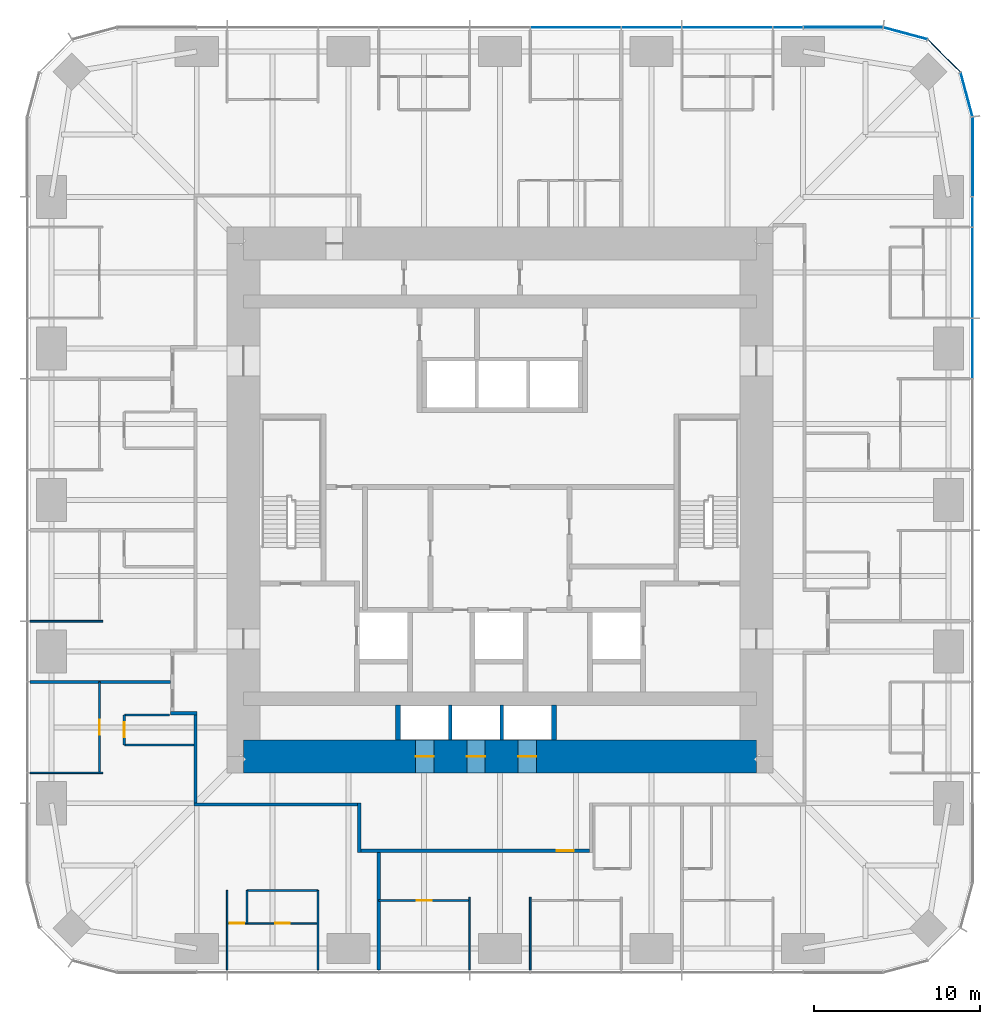
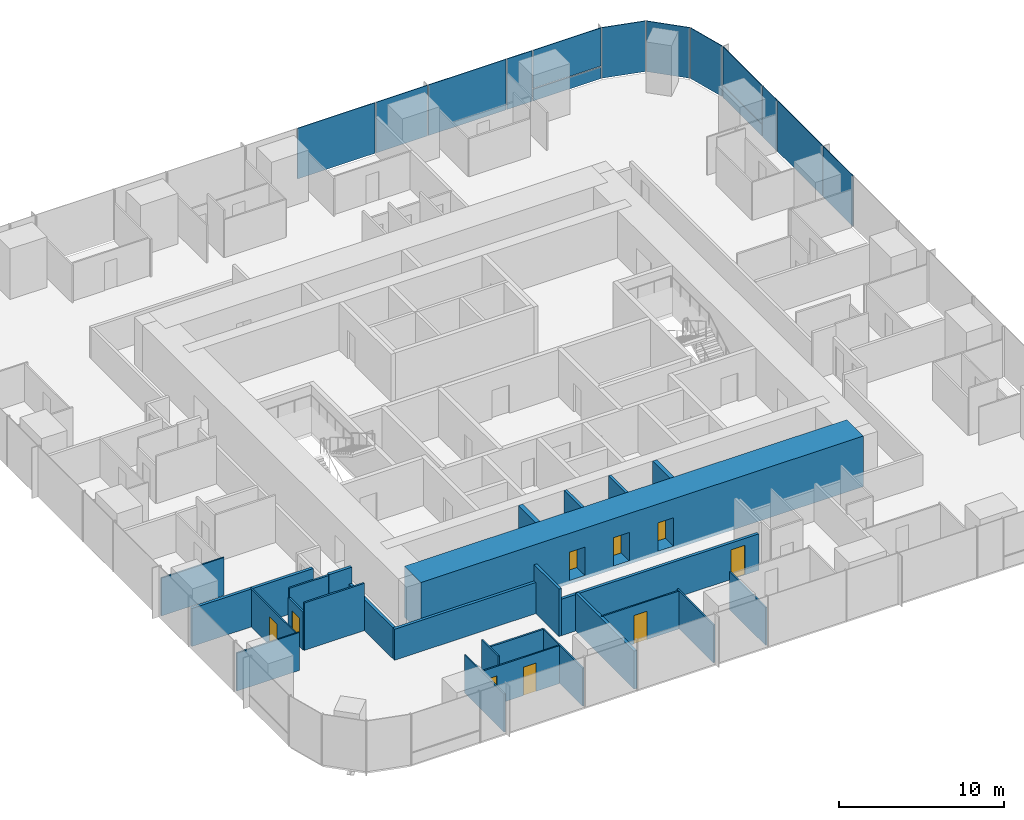
# One storey, part 8 of 13: 26 walls, 14 plates, 9 doors, 9 openings, 3 elements without a shape of their own.
"""IFC4 building model written with IfcOpenShell, lengths in metres."""

import ifcopenshell
import ifcopenshell.guid

model = None  # the IFC model being written
_history = None  # IfcOwnerHistory: only IFC2X3 demands one
_inside = {}  # id of a spatial element -> (the spatial element, [elements in it])
_under = {}  # id of a project, library or spatial element -> (it, [spatial elements below it])
_declared = {}  # id of a project -> (the project, [libraries it declares])
_typed = {}  # id of a type object -> (the type object, [elements of that type])
_made_of = {}  # id of a material, layer set ... -> (it, [elements and type objects made of it])


def new_model(schema):
    """Start an empty IFC model of exactly this schema.

    Asked for "IFC4X3", IfcOpenShell would pick the latest addendum, in which some entities
    have other attributes; the version numbers below select the first issue.
    IFC2X3 requires an IfcOwnerHistory on every rooted entity: one is made here for all.
    """
    global model, _history
    if schema == "IFC4X3":
        model = ifcopenshell.file(schema_version=(4, 3, 0, 0))
    else:
        model = ifcopenshell.file(schema=schema)
    _inside.clear()
    _under.clear()
    _declared.clear()
    _typed.clear()
    _made_of.clear()
    _history = None
    if model.schema == "IFC2X3":
        org = make("IfcOrganization", Name="unknown")
        user = make(
            "IfcPersonAndOrganization",
            ThePerson=make("IfcPerson", FamilyName="unknown"),
            TheOrganization=org,
        )
        app = make(
            "IfcApplication",
            ApplicationDeveloper=org,
            Version="unknown",
            ApplicationFullName="unknown",
            ApplicationIdentifier="unknown",
        )
        _history = make(
            "IfcOwnerHistory",
            OwningUser=user,
            OwningApplication=app,
            ChangeAction="ADDED",
            CreationDate=0,
        )
    return model


def make(cls, **values):
    """One entity of the class cls with the attributes given. An attribute that is None is left unset."""
    return model.create_entity(
        cls, **{name: value for name, value in values.items() if value is not None}
    )


def rooted(cls, **values):
    """An entity with a GlobalId (a new one), such as an element, a storey or a relation."""
    return make(cls, GlobalId=ifcopenshell.guid.new(), OwnerHistory=_history, **values)


def si_unit(unit_type, name, prefix=None):
    """IfcSIUnit, for example si_unit("LENGTHUNIT", "METRE", prefix="MILLI")."""
    return make("IfcSIUnit", UnitType=unit_type, Prefix=prefix, Name=name)


def assignment(units):
    """IfcUnitAssignment: the units of a project."""
    return None if units is None else make("IfcUnitAssignment", Units=units)


def point(xyz):
    """IfcCartesianPoint."""
    return None if xyz is None else make("IfcCartesianPoint", Coordinates=xyz)


def direction(xyz):
    """IfcDirection."""
    return None if xyz is None else make("IfcDirection", DirectionRatios=xyz)


def frame(location, z_axis=None, x_axis=None):
    """IfcAxis2Placement3D, a coordinate frame: its origin and axes. An axis left out is left unset."""
    return make(
        "IfcAxis2Placement3D",
        Location=point(location),
        Axis=direction(z_axis),
        RefDirection=direction(x_axis),
    )


def frame_2d(location, x_axis=None):
    """IfcAxis2Placement2D, a coordinate frame in the plane: its origin and x axis."""
    return make(
        "IfcAxis2Placement2D", Location=point(location), RefDirection=direction(x_axis)
    )


def origin():
    """The frame at (0, 0, 0) with its axes left unset."""
    return frame((0.0, 0.0, 0.0))


def origin_2d():
    """The frame at (0, 0) in the plane with its x axis left unset."""
    return frame_2d((0.0, 0.0))


def place(relative_to, where):
    """IfcLocalPlacement: puts the frame where relative to a parent placement (None: the world)."""
    return make(
        "IfcLocalPlacement", PlacementRelTo=relative_to, RelativePlacement=where
    )


def context(
    kind, dimensions, precision=None, world=None, true_north=None, identifier=None
):
    """IfcGeometricRepresentationContext, for example the 3D "Model" context."""
    return make(
        "IfcGeometricRepresentationContext",
        ContextIdentifier=identifier,
        ContextType=kind,
        CoordinateSpaceDimension=dimensions,
        Precision=precision,
        WorldCoordinateSystem=world,
        TrueNorth=true_north,
    )


def subcontext(parent, identifier, kind, view, scale=None):
    """IfcGeometricRepresentationSubContext, for example "Body" below "Model"."""
    return make(
        "IfcGeometricRepresentationSubContext",
        ContextIdentifier=identifier,
        ContextType=kind,
        ParentContext=parent,
        TargetScale=scale,
        TargetView=view,
    )


def project(units=None, contexts=None):
    """IfcProject with its units and contexts."""
    return rooted(
        "IfcProject",
        Name="project",
        RepresentationContexts=contexts,
        UnitsInContext=assignment(units),
    )


def spatial(cls, under=None, at=None, **own):
    """A site, building, storey or space (cls), placed at a placement, below another one or the project."""
    s = rooted(cls, ObjectPlacement=at, **own)
    if under is not None:
        _under.setdefault(under.id(), (under, []))[1].append(s)
    return s


def profile(cls, at=None, kind="AREA", **sizes):
    """A parametric profile (cls). Its sizes go by their IFC names, for example OverallWidth=200.0."""
    return make(cls, ProfileType=kind, Position=at, **sizes)


def rectangle(**sizes):
    """IfcRectangleProfileDef."""
    return profile("IfcRectangleProfileDef", **sizes)


def extrude(swept, where, along, depth):
    """IfcExtrudedAreaSolid: the profile swept, set in the frame where, extruded along a direction by depth."""
    return make(
        "IfcExtrudedAreaSolid",
        SweptArea=swept,
        Position=where,
        ExtrudedDirection=direction(along),
        Depth=depth,
    )


def shape(context_of_items, identifier, shape_type, items):
    """IfcShapeRepresentation: the items that make up one representation, for example the "Body"."""
    return make(
        "IfcShapeRepresentation",
        ContextOfItems=context_of_items,
        RepresentationIdentifier=identifier,
        RepresentationType=shape_type,
        Items=items,
    )


def material(Name=None, Category=None):
    """IfcMaterial."""
    return make("IfcMaterial", Name=Name, Category=Category)


def layer(
    of_material, thickness, ventilated=None, Name=None, Category=None, Priority=None
):
    """IfcMaterialLayer: one layer of a wall or slab, of a material (None: an air gap)."""
    return make(
        "IfcMaterialLayer",
        Material=of_material,
        LayerThickness=thickness,
        IsVentilated=ventilated,
        Name=Name,
        Category=Category,
        Priority=Priority,
    )


def layer_set(layers, Name=None):
    """IfcMaterialLayerSet."""
    return make("IfcMaterialLayerSet", MaterialLayers=layers, LayerSetName=Name)


def made_of(thing, what):
    """Note that an element or type object is made of a material, layer set ...; save() writes the relation."""
    if what is not None:
        _made_of.setdefault(what.id(), (what, []))[1].append(thing)
    return thing


def type_object(cls, material=None, **own):
    """A type object (cls), such as IfcWallType, which elements share."""
    return made_of(rooted(cls, **own), material)


def element(
    cls,
    number,
    at=None,
    inside=None,
    cuts=None,
    type_object=None,
    material=None,
    context=None,
    identifier="Body",
    shape_type=None,
    held_by="IfcProductDefinitionShape",
    body=None,
    shapes=None,
    **own,
):
    """One element of the class cls, such as IfcWall. Its Tag is "e" and its number.

    at: its placement. inside: the storey or other place that contains it. cuts: it is an
    opening in that element (IfcRelVoidsElement). A single representation is given by context,
    identifier, shape_type and body (its items); several are given by shapes. held_by: the class
    of the entity that holds the representations. save() writes the other relations.
    """
    e = rooted(cls, Tag="e%d" % number, ObjectPlacement=at, **own)
    if body is not None:
        shapes = [shape(context, identifier, shape_type, body)]
    if shapes is not None:
        e.Representation = make(held_by, Representations=shapes)
    if inside is not None:
        _inside.setdefault(inside.id(), (inside, []))[1].append(e)
    if cuts is not None:
        rooted(
            "IfcRelVoidsElement", RelatingBuildingElement=cuts, RelatedOpeningElement=e
        )
    if type_object is not None:
        _typed.setdefault(type_object.id(), (type_object, []))[1].append(e)
    return made_of(e, material)


def fill(opening, filler):
    """IfcRelFillsElement: the door or window that sits in an opening."""
    return rooted(
        "IfcRelFillsElement",
        RelatingOpeningElement=opening,
        RelatedBuildingElement=filler,
    )


def aggregate(whole, parts):
    """IfcRelAggregates: a whole, such as a stair, and the parts it consists of."""
    return rooted("IfcRelAggregates", RelatingObject=whole, RelatedObjects=parts)


def save(model, path):
    """Write the relations noted so far, then the file.

    IfcRelAggregates (storeys below a building ...), IfcRelContainedInSpatialStructure (elements
    in a storey), IfcRelDefinesByType, IfcRelAssociatesMaterial and IfcRelDeclares: one each for
    every whole, place, type object, material and project.
    """
    for whole, parts in _under.values():
        aggregate(whole, parts)
    for where, things in _inside.values():
        rooted(
            "IfcRelContainedInSpatialStructure",
            RelatedElements=things,
            RelatingStructure=where,
        )
    for kind, things in _typed.values():
        rooted("IfcRelDefinesByType", RelatedObjects=things, RelatingType=kind)
    for what, things in _made_of.values():
        rooted("IfcRelAssociatesMaterial", RelatedObjects=things, RelatingMaterial=what)
    for by, libraries in _declared.values():
        rooted("IfcRelDeclares", RelatingContext=by, RelatedDefinitions=libraries)
    model.write(path)


model = new_model("IFC4")

# Units and contexts
model_context = context("Model", 3, precision=1e-05, world=origin(), true_north=direction((0.0, 1.0)))
body_context = subcontext(model_context, "Body", "Model", "MODEL_VIEW")
ifc_project = project(units=[si_unit("LENGTHUNIT", "METRE"), si_unit("AREAUNIT", "SQUARE_METRE"), si_unit("VOLUMEUNIT", "CUBIC_METRE"), si_unit("PLANEANGLEUNIT", "RADIAN"), si_unit("MASSUNIT", "GRAM", prefix="KILO")], contexts=[model_context])

# Site, building, storey
site_placement = place(None, origin())
site = spatial("IfcSite", under=ifc_project, at=site_placement, CompositionType="ELEMENT")
building_placement = place(site_placement, origin())
building = spatial("IfcBuilding", under=site, at=building_placement, Name="Khuree Lantern Residences", CompositionType="ELEMENT")
storey_placement = place(building_placement, frame((0.0, 0.0, 159.75)))
storey = spatial("IfcBuildingStorey", under=building, at=storey_placement, Name="L40", CompositionType="ELEMENT", Elevation=159.75)

# Curtain wall, plates
ifc_material_1 = material(Name="Bronze anodised aluminium", Category="aluminium")
curtain_wall_type_1 = type_object("IfcCurtainWallType", Name="CW-T2 TOWER CORNER CURTAIN WALL", PredefinedType="USERDEFINED", material=ifc_material_1)
curtain_wall_1_placement = place(storey_placement, origin())
curtain_wall_1 = element("IfcCurtainWall", 1, at=curtain_wall_1_placement, inside=storey, type_object=curtain_wall_type_1, Name="L40 NORTH-EAST CORNER CURTAIN WALL", ObjectType="Faceted corner curtain wall", PredefinedType="USERDEFINED")
ifc_material_2 = material(Name="Bronze tinted triple glazing", Category="glass")
ifc_layer_1 = layer(ifc_material_2, 0.048095703125)
ifc_layer_set_1 = layer_set([ifc_layer_1], Name="FACET PANEL P4")
plate_type_1 = type_object("IfcPlateType", Name="FACET PANEL P4", PredefinedType="CURTAIN_PANEL", material=ifc_layer_set_1)
plate_1_placement = place(storey_placement, frame((28.188720703125, 24.498046875, 0.0), z_axis=(0.0, 0.0, 1.0), x_axis=(-0.258819105321, 0.965925810153, 0.0)))
plate_1 = element("IfcPlate", 2, at=plate_1_placement, type_object=plate_type_1, Name="L40 NORTH-EAST CORNER PANEL 15.1", PredefinedType="CURTAIN_PANEL", context=body_context, shape_type="SweptSolid", body=[
    extrude(rectangle(XDim=2.71923828125, YDim=0.048095703125, at=origin_2d()), origin(), (0.0, 0.0, 1.0), 3.75),
])
plate_2_placement = place(storey_placement, frame((26.83837890625, 26.83837890625, 0.0), z_axis=(0.0, 0.0, 1.0), x_axis=(-0.707106781187, 0.707106781187, 0.0)))
plate_2 = element("IfcPlate", 3, at=plate_2_placement, type_object=plate_type_1, Name="L40 NORTH-EAST CORNER PANEL 16.1", PredefinedType="CURTAIN_PANEL", context=body_context, shape_type="SweptSolid", body=[
    extrude(rectangle(XDim=2.715087890625, YDim=0.048095703125, at=origin_2d()), origin(), (0.0, 0.0, 1.0), 3.75),
])
plate_3_placement = place(storey_placement, frame((24.498046875, 28.188720703125, 0.0), z_axis=(0.0, 0.0, 1.0), x_axis=(-0.965925810153, 0.258819105321, 0.0)))
plate_3 = element("IfcPlate", 4, at=plate_3_placement, type_object=plate_type_1, Name="L40 NORTH-EAST CORNER PANEL 17.1", PredefinedType="CURTAIN_PANEL", context=body_context, shape_type="SweptSolid", body=[
    extrude(rectangle(XDim=2.71923828125, YDim=0.048095703125, at=origin_2d()), origin(), (0.0, 0.0, 1.0), 3.75),
])
aggregate(curtain_wall_1, [plate_1, plate_2, plate_3])

# Curtain wall, plate
curtain_wall_type_2 = type_object("IfcCurtainWallType", Name="CW-T1 TOWER FACE CURTAIN WALL", PredefinedType="USERDEFINED", material=ifc_material_1)
curtain_wall_2_placement = place(storey_placement, origin())
curtain_wall_2 = element("IfcCurtainWall", 5, at=curtain_wall_2_placement, inside=storey, type_object=curtain_wall_type_2, Name="L40 EAST FACE CURTAIN WALL", ObjectType="Stick-built curtain wall", PredefinedType="USERDEFINED")
ifc_material_3 = material(Name="Bronze tinted triple glazing with a ceramic-fritted spandrel band", Category="glass")
ifc_layer_2 = layer(ifc_material_3, 0.048095703125)
ifc_layer_set_2 = layer_set([ifc_layer_2], Name="FIXED LIGHT PANEL P11")
plate_type_2 = type_object("IfcPlateType", Name="FIXED LIGHT PANEL P11", PredefinedType="CURTAIN_PANEL", material=ifc_layer_set_2)
plate_4_placement = place(storey_placement, frame((28.550048828125, 13.739990234375, 0.0), z_axis=(0.0, 0.0, 1.0), x_axis=(0.0, 1.0, 0.0)))
plate_4 = element("IfcPlate", 6, at=plate_4_placement, type_object=plate_type_2, Name="L40 EAST FACE PANEL 12.1", PredefinedType="CURTAIN_PANEL", context=body_context, shape_type="SweptSolid", body=[
    extrude(rectangle(XDim=5.430908203125, YDim=0.048095703125, at=origin_2d()), origin(), (0.0, 0.0, 1.0), 3.75),
])

# Curtain wall, plates
curtain_wall_3_placement = place(storey_placement, origin())
curtain_wall_3 = element("IfcCurtainWall", 7, at=curtain_wall_3_placement, inside=storey, type_object=curtain_wall_type_2, Name="L40 NORTH FACE CURTAIN WALL", ObjectType="Stick-built curtain wall", PredefinedType="USERDEFINED")
plate_5_placement = place(storey_placement, frame((13.739990234375, 28.550048828125, 0.0), z_axis=(0.0, 0.0, 1.0), x_axis=(-1.0, 0.0, 0.0)))
plate_5 = element("IfcPlate", 8, at=plate_5_placement, type_object=plate_type_2, Name="L40 NORTH FACE PANEL 20.1", PredefinedType="CURTAIN_PANEL", context=body_context, shape_type="SweptSolid", body=[
    extrude(rectangle(XDim=5.430908203125, YDim=0.048095703125, at=origin_2d()), origin(), (0.0, 0.0, 1.0), 3.75),
])
plate_6_placement = place(storey_placement, frame((4.580078125, 28.550048828125, 0.0), z_axis=(0.0, 0.0, 1.0), x_axis=(-1.0, 0.0, 0.0)))
plate_6 = element("IfcPlate", 9, at=plate_6_placement, type_object=plate_type_2, Name="L40 NORTH FACE PANEL 22.1", PredefinedType="CURTAIN_PANEL", context=body_context, shape_type="SweptSolid", body=[
    extrude(rectangle(XDim=5.430908203125, YDim=0.048095703125, at=origin_2d()), origin(), (0.0, 0.0, 1.0), 3.75),
])

# Plate
ifc_material_4 = material(Name="Bronze tinted triple glazing, two aluminium-framed sashes in one frame", Category="aluminium")
ifc_layer_3 = layer(ifc_material_4, 0.048095703125)
ifc_layer_set_3 = layer_set([ifc_layer_3], Name="SASH PAIR PANEL P12")
plate_type_3 = type_object("IfcPlateType", Name="SASH PAIR PANEL P12", PredefinedType="CURTAIN_PANEL", material=ifc_layer_set_3)
plate_7_placement = place(storey_placement, frame((28.550048828125, 9.159912109375, 0.0), z_axis=(0.0, 0.0, 1.0), x_axis=(0.0, 1.0, 0.0)))
plate_7 = element("IfcPlate", 10, at=plate_7_placement, type_object=plate_type_3, Name="L40 EAST FACE PANEL 11.1", PredefinedType="CURTAIN_PANEL", context=body_context, shape_type="SweptSolid", body=[
    extrude(rectangle(XDim=3.59912109375, YDim=0.048095703125, at=origin_2d()), origin(), (0.0, 0.0, 1.0), 3.75),
])

plate_8_placement = place(storey_placement, frame((9.159912109375, 28.550048828125, 0.0), z_axis=(0.0, 0.0, 1.0), x_axis=(-1.0, 0.0, 0.0)))
plate_8 = element("IfcPlate", 11, at=plate_8_placement, type_object=plate_type_3, Name="L40 NORTH FACE PANEL 21.1", PredefinedType="CURTAIN_PANEL", context=body_context, shape_type="SweptSolid", body=[
    extrude(rectangle(XDim=3.59912109375, YDim=0.048095703125, at=origin_2d()), origin(), (0.0, 0.0, 1.0), 3.75),
])

ifc_material_5 = material(Name="Bronze tinted triple glazing, aluminium-framed sash", Category="aluminium")
ifc_layer_4 = layer(ifc_material_5, 0.048095703125)
ifc_layer_set_4 = layer_set([ifc_layer_4], Name="SASH PANEL P3")
plate_type_4 = type_object("IfcPlateType", Name="SASH PANEL P3", PredefinedType="CURTAIN_PANEL", material=ifc_layer_set_4)
plate_9_placement = place(storey_placement, frame((28.550048828125, 17.404052734375, 0.0), z_axis=(0.0, 0.0, 1.0), x_axis=(0.0, 1.0, 0.0)))
plate_9 = element("IfcPlate", 12, at=plate_9_placement, type_object=plate_type_4, Name="L40 EAST FACE PANEL 13.1", PredefinedType="CURTAIN_PANEL", context=body_context, shape_type="SweptSolid", body=[
    extrude(rectangle(XDim=1.76708984375, YDim=0.048095703125, at=origin_2d()), origin(), (0.0, 0.0, 1.0), 3.75),
])

plate_10_placement = place(storey_placement, frame((17.404052734375, 28.550048828125, 0.0), z_axis=(0.0, 0.0, 1.0), x_axis=(-1.0, 0.0, 0.0)))
plate_10 = element("IfcPlate", 13, at=plate_10_placement, type_object=plate_type_4, Name="L40 NORTH FACE PANEL 19.1", PredefinedType="CURTAIN_PANEL", context=body_context, shape_type="SweptSolid", body=[
    extrude(rectangle(XDim=1.76708984375, YDim=0.048095703125, at=origin_2d()), origin(), (0.0, 0.0, 1.0), 3.75),
])

ifc_material_6 = material(Name="Bronze anodised aluminium insulated spandrel", Category="aluminium")
ifc_layer_5 = layer(ifc_material_6, 0.06005859375)
ifc_layer_set_5 = layer_set([ifc_layer_5], Name="SPANDREL PANEL P2")
plate_type_5 = type_object("IfcPlateType", Name="SPANDREL PANEL P2", PredefinedType="CURTAIN_PANEL", material=ifc_layer_set_5)
plate_11_placement = place(storey_placement, frame((28.550048828125, 20.73291015625, 0.0), z_axis=(0.0, 0.0, 1.0), x_axis=(0.0, 1.0, 0.0)))
plate_11 = element("IfcPlate", 14, at=plate_11_placement, type_object=plate_type_5, Name="L40 EAST FACE PANEL 14.1", PredefinedType="CURTAIN_PANEL", context=body_context, shape_type="SweptSolid", body=[
    extrude(rectangle(XDim=4.7607421875, YDim=0.06005859375, at=origin_2d()), origin(), (0.0, 0.0, 1.0), 0.867431640625),
])

plate_12_placement = place(storey_placement, frame((20.73291015625, 28.550048828125, 0.0), z_axis=(0.0, 0.0, 1.0), x_axis=(-1.0, 0.0, 0.0)))
plate_12 = element("IfcPlate", 15, at=plate_12_placement, type_object=plate_type_5, Name="L40 NORTH FACE PANEL 18.1", PredefinedType="CURTAIN_PANEL", context=body_context, shape_type="SweptSolid", body=[
    extrude(rectangle(XDim=4.7607421875, YDim=0.06005859375, at=origin_2d()), origin(), (0.0, 0.0, 1.0), 0.867431640625),
])

ifc_layer_6 = layer(ifc_material_2, 0.048095703125)
ifc_layer_set_6 = layer_set([ifc_layer_6], Name="VISION PANEL P1")
plate_type_6 = type_object("IfcPlateType", Name="VISION PANEL P1", PredefinedType="CURTAIN_PANEL", material=ifc_layer_set_6)
plate_13_placement = place(storey_placement, frame((28.550048828125, 20.7333984375, 0.9326171875), z_axis=(0.0, 0.0, 1.0), x_axis=(0.0, 1.0, 0.0)))
plate_13 = element("IfcPlate", 16, at=plate_13_placement, type_object=plate_type_6, Name="L40 EAST FACE PANEL 14.2", PredefinedType="CURTAIN_PANEL", context=body_context, shape_type="SweptSolid", body=[
    extrude(rectangle(XDim=4.761474609375, YDim=0.048095703125, at=origin_2d()), origin(), (0.0, 0.0, 1.0), 2.8173828125),
])

aggregate(curtain_wall_2, [plate_7, plate_4, plate_9, plate_11, plate_13])

plate_14_placement = place(storey_placement, frame((20.7333984375, 28.550048828125, 0.9326171875), z_axis=(0.0, 0.0, 1.0), x_axis=(-1.0, 0.0, 0.0)))
plate_14 = element("IfcPlate", 17, at=plate_14_placement, type_object=plate_type_6, Name="L40 NORTH FACE PANEL 18.2", PredefinedType="CURTAIN_PANEL", context=body_context, shape_type="SweptSolid", body=[
    extrude(rectangle(XDim=4.761474609375, YDim=0.048095703125, at=origin_2d()), origin(), (0.0, 0.0, 1.0), 2.8173828125),
])

aggregate(curtain_wall_3, [plate_12, plate_14, plate_10, plate_5, plate_8, plate_6])

# Wall
ifc_material_7 = material(Name="Moisture-resistant gypsum board on steel studs", Category="steel")
ifc_layer_7 = layer(ifc_material_7, 0.125)
ifc_layer_set_7 = layer_set([ifc_layer_7], Name="BATHROOM WALL BTW125")
wall_type_1 = type_object("IfcWallType", Name="BATHROOM WALL BTW125", PredefinedType="PARTITIONING", material=ifc_layer_set_7)
wall_1_placement = place(storey_placement, frame((-15.2880859375, -23.579833984375, 0.0), z_axis=(0.0, 0.0, 1.0), x_axis=(1.0, 0.0, 0.0)))
element("IfcWall", 18, at=wall_1_placement, inside=storey, type_object=wall_type_1, Name="L40 BATHROOM WALL 06", PredefinedType="PARTITIONING", context=body_context, shape_type="SweptSolid", body=[
    extrude(rectangle(XDim=4.296142578125, YDim=0.125, at=frame_2d((2.14794921875, 0.0))), origin(), (0.0, 0.0, 1.0), 2.81005859375),
])

# Wall, opening, door
wall_2_placement = place(storey_placement, frame((-22.699951171875, -12.991943359375, 0.0), z_axis=(0.0, 0.0, 1.0), x_axis=(0.0, -1.0, 0.0)))
wall_2 = element("IfcWall", 19, at=wall_2_placement, inside=storey, type_object=wall_type_1, Name="L40 BATHROOM WALL 06", PredefinedType="PARTITIONING", context=body_context, shape_type="SweptSolid", body=[
    extrude(rectangle(XDim=1.800048828125, YDim=0.125, at=frame_2d((0.89990234375, 0.0))), origin(), (0.0, 0.0, 1.0), 2.81005859375),
])
opening_1_placement = place(wall_2_placement, frame((0.449951171875, 0.0, 0.0)))
opening_1 = element("IfcOpeningElement", 20, at=opening_1_placement, cuts=wall_2, Name="Opening 40-053", PredefinedType="OPENING", context=body_context, shape_type="SweptSolid", body=[
    extrude(rectangle(XDim=0.89990234375, YDim=2.10009765625, at=frame_2d((0.449951171875, 1.050048828125))), frame((0.0, 0.072509765625, 0.0), z_axis=(0.0, -1.0, 0.0), x_axis=(1.0, 0.0, 0.0)), (0.0, 0.0, 1.0), 0.14501953125),
])
ifc_material_8 = material(Name="Timber door leaf in hardwood frame", Category="wood")
door_type_1 = type_object("IfcDoorType", Name="BATHROOM DOOR 900X2100", OperationType="SINGLE_SWING_LEFT", PredefinedType="DOOR", material=ifc_material_8)
door_1_placement = place(opening_1_placement, origin())
door_1 = element("IfcDoor", 21, at=door_1_placement, inside=storey, type_object=door_type_1, Name="Bathroom door 40-053", OperationType="SINGLE_SWING_LEFT", OverallHeight=2.10009765625, OverallWidth=0.89990234375, PredefinedType="DOOR", context=body_context, shape_type="SweptSolid", body=[
    extrude(rectangle(XDim=0.89990234375, YDim=2.10009765625, at=frame_2d((0.449951171875, 1.050048828125))), frame((0.0, 0.02490234375, 0.0), z_axis=(0.0, -1.0, 0.0), x_axis=(1.0, 0.0, 0.0)), (0.0, 0.0, 1.0), 0.050048828125),
])
fill(opening_1, door_1)

# Walls
wall_3_placement = place(storey_placement, frame((-19.969970703125, -12.991943359375, 0.0), z_axis=(0.0, 0.0, 1.0), x_axis=(-1.0, 0.0, 0.0)))
element("IfcWall", 22, at=wall_3_placement, inside=storey, type_object=wall_type_1, Name="L40 BATHROOM WALL 06", PredefinedType="PARTITIONING", context=body_context, shape_type="SweptSolid", body=[
    extrude(rectangle(XDim=2.72998046875, YDim=0.125, at=frame_2d((1.364990234375, 0.0))), origin(), (0.0, 0.0, 1.0), 3.5),
])
wall_4_placement = place(storey_placement, frame((-18.5, -14.7919921875, 0.0), z_axis=(0.0, 0.0, 1.0), x_axis=(-1.0, 0.0, 0.0)))
element("IfcWall", 23, at=wall_4_placement, inside=storey, type_object=wall_type_1, Name="L40 BATHROOM WALL 06", PredefinedType="PARTITIONING", context=body_context, shape_type="SweptSolid", body=[
    extrude(rectangle(XDim=4.199951171875, YDim=0.125, at=frame_2d((2.10009765625, 0.0))), origin(), (0.0, 0.0, 1.0), 3.5),
])
ifc_material_9 = material(Name="Dense concrete blockwork", Category="masonry")
ifc_layer_8 = layer(ifc_material_9, 0.300048828125)
ifc_layer_set_8 = layer_set([ifc_layer_8], Name="CORE PARTITION WALL CPW300 EI 120")
wall_type_2 = type_object("IfcWallType", Name="CORE PARTITION WALL CPW300 EI 120", PredefinedType="PARTITIONING", material=ifc_layer_set_8)
for number, where, z_axis, x_axis, name in (
    (24, (-6.14990234375, -14.5, 0.0), (0.0, 0.0, 1.0), (0.0, 1.0, 0.0), "L40 CORE WALL PMW"),
    (25, (3.25, -14.5, 0.0), (0.0, 0.0, 1.0), (0.0, 1.0, 0.0), "L40 CORE WALL PME"),
):
    element("IfcWall", number, at=place(storey_placement, frame(where, z_axis=z_axis, x_axis=x_axis)), inside=storey, type_object=wall_type_2, Name=name, PredefinedType="PARTITIONING", context=body_context, shape_type="SweptSolid", body=[
        extrude(rectangle(XDim=2.10009765625, YDim=0.300048828125, at=frame_2d((1.050048828125, 0.0))), origin(), (0.0, 0.0, 1.0), 3.5),
    ])
ifc_material_10 = material(Name="Gypsum board on steel studs", Category="steel")
ifc_layer_9 = layer(ifc_material_10, 0.199951171875)
ifc_layer_set_9 = layer_set([ifc_layer_9], Name="CORRIDOR WALL CRW200 EI 60")
wall_type_3 = type_object("IfcWallType", Name="CORRIDOR WALL CRW200 EI 60", PredefinedType="PARTITIONING", material=ifc_layer_set_9)
wall_5_placement = place(storey_placement, frame((-18.300048828125, -12.89208984375, 0.0), z_axis=(0.0, 0.0, 1.0), x_axis=(-1.0, 0.0, 0.0)))
element("IfcWall", 26, at=wall_5_placement, inside=storey, type_object=wall_type_3, Name="L40 CORRIDOR ALCOVE WALL WEST", PredefinedType="PARTITIONING", context=body_context, shape_type="SweptSolid", body=[
    extrude(rectangle(XDim=1.599853515625, YDim=0.199951171875, at=frame_2d((0.7998046875, 0.0))), origin(), (0.0, 0.0, 1.0), 3.5),
])
wall_6_placement = place(storey_placement, frame((-18.39990234375, -12.991943359375, 0.0), z_axis=(0.0, 0.0, 1.0), x_axis=(0.0, -1.0, 0.0)))
element("IfcWall", 27, at=wall_6_placement, inside=storey, type_object=wall_type_3, Name="L40 CORRIDOR WALL WEST 3", PredefinedType="PARTITIONING", context=body_context, shape_type="SweptSolid", body=[
    extrude(rectangle(XDim=5.30810546875, YDim=0.199951171875, at=frame_2d((2.654052734375, 0.0))), origin(), (0.0, 0.0, 1.0), 2.300048828125),
])
wall_7_placement = place(storey_placement, frame((-8.5, -18.300048828125, 0.0), z_axis=(0.0, 0.0, 1.0), x_axis=(0.0, -1.0, 0.0)))
element("IfcWall", 28, at=wall_7_placement, inside=storey, type_object=wall_type_3, Name="L40 LIFT LOBBY WALL", PredefinedType="PARTITIONING", context=body_context, shape_type="SweptSolid", body=[
    extrude(rectangle(XDim=3.0, YDim=0.199951171875, at=frame_2d((1.5, 0.0))), origin(), (0.0, 0.0, 1.0), 3.5),
])

# Wall, opening, door
wall_8_placement = place(storey_placement, frame((5.39990234375, -21.199951171875, 0.0), z_axis=(0.0, 0.0, 1.0), x_axis=(-1.0, 0.0, 0.0)))
wall_8 = element("IfcWall", 29, at=wall_8_placement, inside=storey, type_object=wall_type_3, Name="L40 LIFT LOBBY WALL", PredefinedType="PARTITIONING", context=body_context, shape_type="SweptSolid", body=[
    extrude(rectangle(XDim=13.7998046875, YDim=0.199951171875, at=frame_2d((6.89990234375, 0.0))), origin(), (0.0, 0.0, 1.0), 2.699951171875),
])
opening_2_placement = place(wall_8_placement, frame((0.9580078125, 0.0, 0.0)))
opening_2 = element("IfcOpeningElement", 30, at=opening_2_placement, cuts=wall_8, Name="Opening 40-058", PredefinedType="OPENING", context=body_context, shape_type="SweptSolid", body=[
    extrude(rectangle(XDim=1.0, YDim=2.199951171875, at=frame_2d((0.5, 1.10009765625))), frame((0.0, 0.10986328125, 0.0), z_axis=(0.0, -1.0, 0.0), x_axis=(1.0, 0.0, 0.0)), (0.0, 0.0, 1.0), 0.219970703125),
])
door_type_2 = type_object("IfcDoorType", Name="APARTMENT ENTRANCE DOOR 1000X2200 EI 30S", OperationType="SINGLE_SWING_LEFT", PredefinedType="DOOR", material=ifc_material_8)
door_2_placement = place(opening_2_placement, origin())
door_2 = element("IfcDoor", 31, at=door_2_placement, inside=storey, type_object=door_type_2, Name="Apartment 07 entrance door 40-058", OperationType="SINGLE_SWING_LEFT", OverallHeight=2.199951171875, OverallWidth=1.0, PredefinedType="DOOR", context=body_context, shape_type="SweptSolid", body=[
    extrude(rectangle(XDim=1.0, YDim=2.199951171875, at=frame_2d((0.5, 1.10009765625))), frame((0.0, 0.02490234375, 0.0), z_axis=(0.0, -1.0, 0.0), x_axis=(1.0, 0.0, 0.0)), (0.0, 0.0, 1.0), 0.050048828125),
])
fill(opening_2, door_2)

# Wall
wall_9_placement = place(storey_placement, frame((-8.60009765625, -18.39990234375, 0.0), z_axis=(0.0, 0.0, 1.0), x_axis=(-1.0, 0.0, 0.0)))
element("IfcWall", 32, at=wall_9_placement, inside=storey, type_object=wall_type_3, Name="L40 CORRIDOR WALL SOUTH 2", PredefinedType="PARTITIONING", context=body_context, shape_type="SweptSolid", body=[
    extrude(rectangle(XDim=9.89990234375, YDim=0.199951171875, at=frame_2d((4.949951171875, 0.0))), origin(), (0.0, 0.0, 1.0), 2.300048828125),
])

# Wall, openings, doors
ifc_material_11 = material(Name="Concrete C70/85", Category="concrete")
ifc_layer_10 = layer(ifc_material_11, 2.0)
ifc_layer_set_10 = layer_set([ifc_layer_10], Name="CW2000-C70 CORE WALL C70 2000")
wall_type_4 = type_object("IfcWallType", Name="CW2000-C70 CORE WALL C70 2000", PredefinedType="SHEAR", material=ifc_layer_set_10)
wall_10_placement = place(storey_placement, frame((-15.5, -15.5, -0.25), z_axis=(0.0, 0.0, 1.0), x_axis=(1.0, 0.0, 0.0)))
wall_10 = element("IfcWall", 33, at=wall_10_placement, inside=storey, type_object=wall_type_4, Name="Core wall S", PredefinedType="SHEAR", context=body_context, shape_type="SweptSolid", body=[
    extrude(rectangle(XDim=31.0, YDim=2.0, at=frame_2d((15.5, 0.0))), origin(), (0.0, 0.0, 1.0), 3.75),
])
opening_3_placement = place(wall_10_placement, frame((10.39990234375, 0.0, 0.25)))
opening_3 = element("IfcOpeningElement", 34, at=opening_3_placement, cuts=wall_10, Name="Opening 40-009", PredefinedType="OPENING", context=body_context, shape_type="SweptSolid", body=[
    extrude(rectangle(XDim=1.10009765625, YDim=2.10009765625, at=frame_2d((0.550048828125, 1.050048828125))), frame((0.0, 1.010009765625, 0.0), z_axis=(0.0, -1.0, 0.0), x_axis=(1.0, 0.0, 0.0)), (0.0, 0.0, 1.0), 2.02001953125),
])
opening_4_placement = place(wall_10_placement, frame((13.5, 0.0, 0.25)))
opening_4 = element("IfcOpeningElement", 35, at=opening_4_placement, cuts=wall_10, Name="Opening 40-010", PredefinedType="OPENING", context=body_context, shape_type="SweptSolid", body=[
    extrude(rectangle(XDim=1.10009765625, YDim=2.10009765625, at=frame_2d((0.550048828125, 1.050048828125))), frame((0.0, 1.010009765625, 0.0), z_axis=(0.0, -1.0, 0.0), x_axis=(1.0, 0.0, 0.0)), (0.0, 0.0, 1.0), 2.02001953125),
])
opening_5_placement = place(wall_10_placement, frame((16.60009765625, 0.0, 0.25)))
opening_5 = element("IfcOpeningElement", 36, at=opening_5_placement, cuts=wall_10, Name="Opening 40-011", PredefinedType="OPENING", context=body_context, shape_type="SweptSolid", body=[
    extrude(rectangle(XDim=1.10009765625, YDim=2.10009765625, at=frame_2d((0.550048828125, 1.050048828125))), frame((0.0, 1.010009765625, 0.0), z_axis=(0.0, -1.0, 0.0), x_axis=(1.0, 0.0, 0.0)), (0.0, 0.0, 1.0), 2.02001953125),
])
ifc_material_12 = material(Name="Stainless steel lift landing door", Category="steel")
door_type_3 = type_object("IfcDoorType", Name="LIFT LANDING DOOR 1100X2100 E 60", OperationType="DOUBLE_DOOR_SLIDING", PredefinedType="DOOR", material=ifc_material_12)
door_3_placement = place(opening_3_placement, origin())
door_3 = element("IfcDoor", 37, at=door_3_placement, inside=storey, type_object=door_type_3, Name="Landing door PM1 40-009", OperationType="DOUBLE_DOOR_SLIDING", OverallHeight=2.10009765625, OverallWidth=1.10009765625, PredefinedType="DOOR", context=body_context, shape_type="SweptSolid", body=[
    extrude(rectangle(XDim=1.10009765625, YDim=2.10009765625, at=frame_2d((0.550048828125, 1.050048828125))), frame((0.0, 0.02490234375, 0.0), z_axis=(0.0, -1.0, 0.0), x_axis=(1.0, 0.0, 0.0)), (0.0, 0.0, 1.0), 0.050048828125),
])
fill(opening_3, door_3)
door_4_placement = place(opening_4_placement, origin())
door_4 = element("IfcDoor", 38, at=door_4_placement, inside=storey, type_object=door_type_3, Name="Landing door PM2 40-010", OperationType="DOUBLE_DOOR_SLIDING", OverallHeight=2.10009765625, OverallWidth=1.10009765625, PredefinedType="DOOR", context=body_context, shape_type="SweptSolid", body=[
    extrude(rectangle(XDim=1.10009765625, YDim=2.10009765625, at=frame_2d((0.550048828125, 1.050048828125))), frame((0.0, 0.02490234375, 0.0), z_axis=(0.0, -1.0, 0.0), x_axis=(1.0, 0.0, 0.0)), (0.0, 0.0, 1.0), 0.050048828125),
])
fill(opening_4, door_4)
door_5_placement = place(opening_5_placement, origin())
door_5 = element("IfcDoor", 39, at=door_5_placement, inside=storey, type_object=door_type_3, Name="Landing door PM3 40-011", OperationType="DOUBLE_DOOR_SLIDING", OverallHeight=2.10009765625, OverallWidth=1.10009765625, PredefinedType="DOOR", context=body_context, shape_type="SweptSolid", body=[
    extrude(rectangle(XDim=1.10009765625, YDim=2.10009765625, at=frame_2d((0.550048828125, 1.050048828125))), frame((0.0, 0.02490234375, 0.0), z_axis=(0.0, -1.0, 0.0), x_axis=(1.0, 0.0, 0.0)), (0.0, 0.0, 1.0), 0.050048828125),
])
fill(opening_5, door_5)

# Walls
ifc_layer_11 = layer(ifc_material_10, 0.199951171875)
ifc_layer_set_11 = layer_set([ifc_layer_11], Name="DEMISING WALL DMW200 EI 90")
wall_type_5 = type_object("IfcWallType", Name="DEMISING WALL DMW200 EI 90", PredefinedType="PARTITIONING", material=ifc_layer_set_11)
wall_11_placement = place(storey_placement, frame((-19.89990234375, -10.991943359375, 0.0), z_axis=(0.0, 0.0, 1.0), x_axis=(-1.0, 0.0, 0.0)))
element("IfcWall", 40, at=wall_11_placement, inside=storey, type_object=wall_type_5, Name="L40 DEMISING WALL 06", PredefinedType="PARTITIONING", context=body_context, shape_type="SweptSolid", body=[
    extrude(rectangle(XDim=8.5, YDim=0.199951171875, at=frame_2d((4.25, 0.0))), origin(), (0.0, 0.0, 1.0), 2.81005859375),
])
wall_12_placement = place(storey_placement, frame((-7.327880859375, -21.300048828125, 0.0), z_axis=(0.0, 0.0, 1.0), x_axis=(0.0, -1.0, 0.0)))
element("IfcWall", 41, at=wall_12_placement, inside=storey, type_object=wall_type_5, Name="L40 DEMISING WALL 07", PredefinedType="PARTITIONING", context=body_context, shape_type="SweptSolid", body=[
    extrude(rectangle(XDim=7.099853515625, YDim=0.199951171875, at=frame_2d((3.5498046875, 0.0))), origin(), (0.0, 0.0, 1.0), 2.81005859375),
])
ifc_layer_12 = layer(ifc_material_10, 0.10009765625)
ifc_layer_set_12 = layer_set([ifc_layer_12], Name="PARTITION PT100")
wall_type_6 = type_object("IfcWallType", Name="PARTITION PT100", PredefinedType="PARTITIONING", material=ifc_layer_set_12)
for number, where, z_axis, x_axis, name in (
    (42, (-24.0, -7.327880859375, 0.0), (0.0, 0.0, 1.0), (-1.0, 0.0, 0.0), "L40 PARTITION 05"),
    (43, (-24.0, -16.488037109375, 0.0), (0.0, 0.0, 1.0), (-1.0, 0.0, 0.0), "L40 PARTITION 06"),
):
    element("IfcWall", number, at=place(storey_placement, frame(where, z_axis=z_axis, x_axis=x_axis)), inside=storey, type_object=wall_type_6, Name=name, PredefinedType="PARTITIONING", context=body_context, shape_type="SweptSolid", body=[
        extrude(rectangle(XDim=4.39990234375, YDim=0.10009765625, at=frame_2d((2.199951171875, 0.0))), origin(), (0.0, 0.0, 1.0), 2.81005859375),
    ])
for number, where, z_axis, x_axis, name in (
    (44, (-16.488037109375, -23.579833984375, 0.0), (0.0, 0.0, 1.0), (0.0, -1.0, 0.0), "L40 PARTITION 06"),
    (45, (-10.991943359375, -23.579833984375, 0.0), (0.0, 0.0, 1.0), (0.0, -1.0, 0.0), "L40 PARTITION 06"),
):
    element("IfcWall", number, at=place(storey_placement, frame(where, z_axis=z_axis, x_axis=x_axis)), inside=storey, type_object=wall_type_6, Name=name, PredefinedType="PARTITIONING", context=body_context, shape_type="SweptSolid", body=[
        extrude(rectangle(XDim=4.820068359375, YDim=0.10009765625, at=frame_2d((2.41015625, 0.0))), origin(), (0.0, 0.0, 1.0), 2.81005859375),
    ])
for number, where, z_axis, x_axis, name in (
    (46, (-1.83203125, -24.0, 0.0), (0.0, 0.0, 1.0), (0.0, -1.0, 0.0), "L40 PARTITION 07"),
    (47, (1.83203125, -24.0, 0.0), (0.0, 0.0, 1.0), (0.0, -1.0, 0.0), "L40 PARTITION 07"),
):
    element("IfcWall", number, at=place(storey_placement, frame(where, z_axis=z_axis, x_axis=x_axis)), inside=storey, type_object=wall_type_6, Name=name, PredefinedType="PARTITIONING", context=body_context, shape_type="SweptSolid", body=[
        extrude(rectangle(XDim=4.39990234375, YDim=0.10009765625, at=frame_2d((2.199951171875, 0.0))), origin(), (0.0, 0.0, 1.0), 2.81005859375),
    ])

# Wall, opening, door
wall_13_placement = place(storey_placement, frame((-24.199951171875, -10.991943359375, 0.0), z_axis=(0.0, 0.0, 1.0), x_axis=(0.0, -1.0, 0.0)))
wall_13 = element("IfcWall", 48, at=wall_13_placement, inside=storey, type_object=wall_type_6, Name="L40 PARTITION 06", PredefinedType="PARTITIONING", context=body_context, shape_type="SweptSolid", body=[
    extrude(rectangle(XDim=5.49609375, YDim=0.10009765625, at=frame_2d((2.748046875, 0.0))), origin(), (0.0, 0.0, 1.0), 2.81005859375),
])
opening_6_placement = place(wall_13_placement, frame((2.298095703125, 0.0, 0.0)))
opening_6 = element("IfcOpeningElement", 49, at=opening_6_placement, cuts=wall_13, Name="Opening 40-050", PredefinedType="OPENING", context=body_context, shape_type="SweptSolid", body=[
    extrude(rectangle(XDim=0.89990234375, YDim=2.10009765625, at=frame_2d((0.449951171875, 1.050048828125))), frame((0.0, 0.06005859375, 0.0), z_axis=(0.0, -1.0, 0.0), x_axis=(1.0, 0.0, 0.0)), (0.0, 0.0, 1.0), 0.1201171875),
])
door_type_4 = type_object("IfcDoorType", Name="BEDROOM DOOR 900X2100", OperationType="SINGLE_SWING_LEFT", PredefinedType="DOOR", material=ifc_material_8)
door_6_placement = place(opening_6_placement, origin())
door_6 = element("IfcDoor", 50, at=door_6_placement, inside=storey, type_object=door_type_4, Name="Bedroom door 40-050", OperationType="SINGLE_SWING_LEFT", OverallHeight=2.10009765625, OverallWidth=0.89990234375, PredefinedType="DOOR", context=body_context, shape_type="SweptSolid", body=[
    extrude(rectangle(XDim=0.89990234375, YDim=2.10009765625, at=frame_2d((0.449951171875, 1.050048828125))), frame((0.0, 0.02490234375, 0.0), z_axis=(0.0, -1.0, 0.0), x_axis=(1.0, 0.0, 0.0)), (0.0, 0.0, 1.0), 0.050048828125),
])
fill(opening_6, door_6)

# Wall, openings, doors
wall_14_placement = place(storey_placement, frame((-16.488037109375, -25.579833984375, 0.0), z_axis=(0.0, 0.0, 1.0), x_axis=(1.0, 0.0, 0.0)))
wall_14 = element("IfcWall", 51, at=wall_14_placement, inside=storey, type_object=wall_type_6, Name="L40 PARTITION 06", PredefinedType="PARTITIONING", context=body_context, shape_type="SweptSolid", body=[
    extrude(rectangle(XDim=5.49609375, YDim=0.10009765625, at=frame_2d((2.748046875, 0.0))), origin(), (0.0, 0.0, 1.0), 2.81005859375),
])
opening_7_placement = place(wall_14_placement, frame((0.14990234375, 0.0, 0.0)))
opening_7 = element("IfcOpeningElement", 52, at=opening_7_placement, cuts=wall_14, Name="Opening 40-051", PredefinedType="OPENING", context=body_context, shape_type="SweptSolid", body=[
    extrude(rectangle(XDim=0.89990234375, YDim=2.10009765625, at=frame_2d((0.449951171875, 1.050048828125))), frame((0.0, 0.06005859375, 0.0), z_axis=(0.0, -1.0, 0.0), x_axis=(1.0, 0.0, 0.0)), (0.0, 0.0, 1.0), 0.1201171875),
])
opening_8_placement = place(wall_14_placement, frame((2.89794921875, 0.0, 0.0)))
opening_8 = element("IfcOpeningElement", 53, at=opening_8_placement, cuts=wall_14, Name="Opening 40-052", PredefinedType="OPENING", context=body_context, shape_type="SweptSolid", body=[
    extrude(rectangle(XDim=0.89990234375, YDim=2.10009765625, at=frame_2d((0.449951171875, 1.050048828125))), frame((0.0, 0.06005859375, 0.0), z_axis=(0.0, -1.0, 0.0), x_axis=(1.0, 0.0, 0.0)), (0.0, 0.0, 1.0), 0.1201171875),
])
door_7_placement = place(opening_8_placement, origin())
door_7 = element("IfcDoor", 54, at=door_7_placement, inside=storey, type_object=door_type_1, Name="Bathroom door 40-052", OperationType="SINGLE_SWING_LEFT", OverallHeight=2.10009765625, OverallWidth=0.89990234375, PredefinedType="DOOR", context=body_context, shape_type="SweptSolid", body=[
    extrude(rectangle(XDim=0.89990234375, YDim=2.10009765625, at=frame_2d((0.449951171875, 1.050048828125))), frame((0.0, 0.02490234375, 0.0), z_axis=(0.0, -1.0, 0.0), x_axis=(1.0, 0.0, 0.0)), (0.0, 0.0, 1.0), 0.050048828125),
])
fill(opening_8, door_7)
door_8_placement = place(opening_7_placement, origin())
door_8 = element("IfcDoor", 55, at=door_8_placement, inside=storey, type_object=door_type_4, Name="Bedroom door 40-051", OperationType="SINGLE_SWING_LEFT", OverallHeight=2.10009765625, OverallWidth=0.89990234375, PredefinedType="DOOR", context=body_context, shape_type="SweptSolid", body=[
    extrude(rectangle(XDim=0.89990234375, YDim=2.10009765625, at=frame_2d((0.449951171875, 1.050048828125))), frame((0.0, 0.02490234375, 0.0), z_axis=(0.0, -1.0, 0.0), x_axis=(1.0, 0.0, 0.0)), (0.0, 0.0, 1.0), 0.050048828125),
])
fill(opening_7, door_8)

# Wall
wall_15_placement = place(storey_placement, frame((-15.2880859375, -23.579833984375, 0.0), z_axis=(0.0, 0.0, 1.0), x_axis=(0.0, -1.0, 0.0)))
element("IfcWall", 56, at=wall_15_placement, inside=storey, type_object=wall_type_6, Name="L40 PARTITION 06", PredefinedType="PARTITIONING", context=body_context, shape_type="SweptSolid", body=[
    extrude(rectangle(XDim=2.0, YDim=0.10009765625, at=frame_2d((1.0, 0.0))), origin(), (0.0, 0.0, 1.0), 3.5),
])

# Wall, opening, door
wall_16_placement = place(storey_placement, frame((-7.327880859375, -24.199951171875, 0.0), z_axis=(0.0, 0.0, 1.0), x_axis=(1.0, 0.0, 0.0)))
wall_16 = element("IfcWall", 57, at=wall_16_placement, inside=storey, type_object=wall_type_6, Name="L40 PARTITION 07", PredefinedType="PARTITIONING", context=body_context, shape_type="SweptSolid", body=[
    extrude(rectangle(XDim=5.495849609375, YDim=0.10009765625, at=frame_2d((2.748046875, 0.0))), origin(), (0.0, 0.0, 1.0), 2.81005859375),
])
opening_9_placement = place(wall_16_placement, frame((2.298095703125, 0.0, 0.0)))
opening_9 = element("IfcOpeningElement", 58, at=opening_9_placement, cuts=wall_16, Name="Opening 40-055", PredefinedType="OPENING", context=body_context, shape_type="SweptSolid", body=[
    extrude(rectangle(XDim=0.89990234375, YDim=2.10009765625, at=frame_2d((0.449951171875, 1.050048828125))), frame((0.0, 0.06005859375, 0.0), z_axis=(0.0, -1.0, 0.0), x_axis=(1.0, 0.0, 0.0)), (0.0, 0.0, 1.0), 0.1201171875),
])
door_9_placement = place(opening_9_placement, origin())
door_9 = element("IfcDoor", 59, at=door_9_placement, inside=storey, type_object=door_type_4, Name="Bedroom door 40-055", OperationType="SINGLE_SWING_LEFT", OverallHeight=2.10009765625, OverallWidth=0.89990234375, PredefinedType="DOOR", context=body_context, shape_type="SweptSolid", body=[
    extrude(rectangle(XDim=0.89990234375, YDim=2.10009765625, at=frame_2d((0.449951171875, 1.050048828125))), frame((0.0, 0.02490234375, 0.0), z_axis=(0.0, -1.0, 0.0), x_axis=(1.0, 0.0, 0.0)), (0.0, 0.0, 1.0), 0.050048828125),
])
fill(opening_9, door_9)

# Walls
ifc_layer_13 = layer(ifc_material_9, 0.199951171875)
ifc_layer_set_13 = layer_set([ifc_layer_13], Name="SHAFT WALL SHW200 EI 120")
wall_type_7 = type_object("IfcWallType", Name="SHAFT WALL SHW200 EI 120", PredefinedType="PARTITIONING", material=ifc_layer_set_13)
for number, where, z_axis, x_axis, name in (
    (60, (-3.0, -14.5, 0.0), (0.0, 0.0, 1.0), (0.0, 1.0, 0.0), "L40 CORE WALL PMD1"),
    (61, (0.10009765625, -14.5, 0.0), (0.0, 0.0, 1.0), (0.0, 1.0, 0.0), "L40 CORE WALL PMD2"),
):
    element("IfcWall", number, at=place(storey_placement, frame(where, z_axis=z_axis, x_axis=x_axis)), inside=storey, type_object=wall_type_7, Name=name, PredefinedType="PARTITIONING", context=body_context, shape_type="SweptSolid", body=[
        extrude(rectangle(XDim=2.10009765625, YDim=0.199951171875, at=frame_2d((1.050048828125, 0.0))), origin(), (0.0, 0.0, 1.0), 3.5),
    ])

save(model, "model.ifc")
